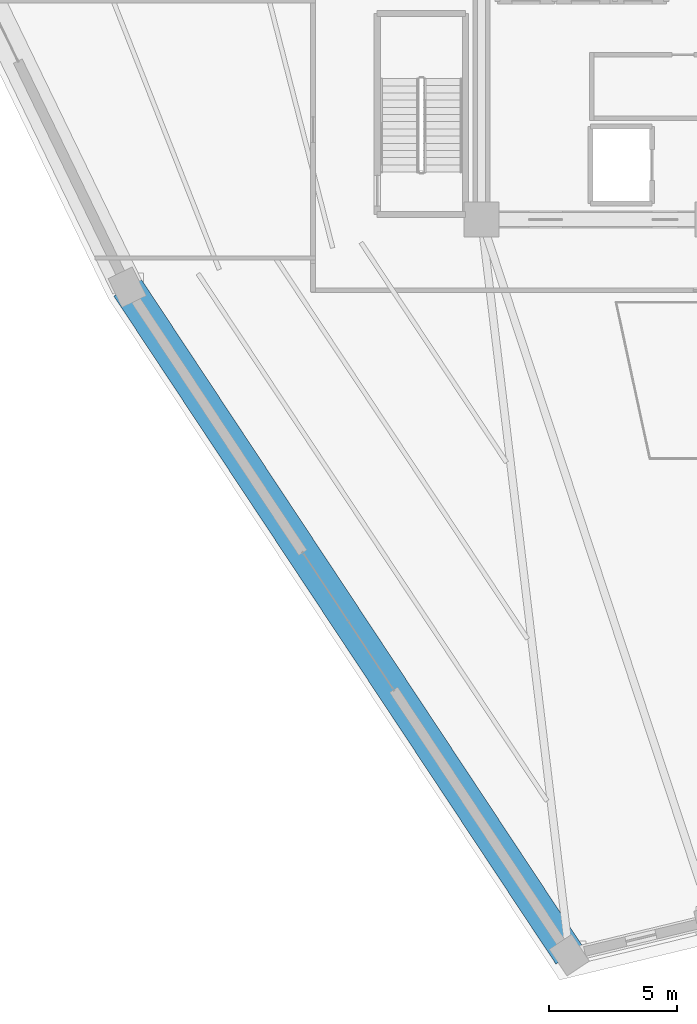
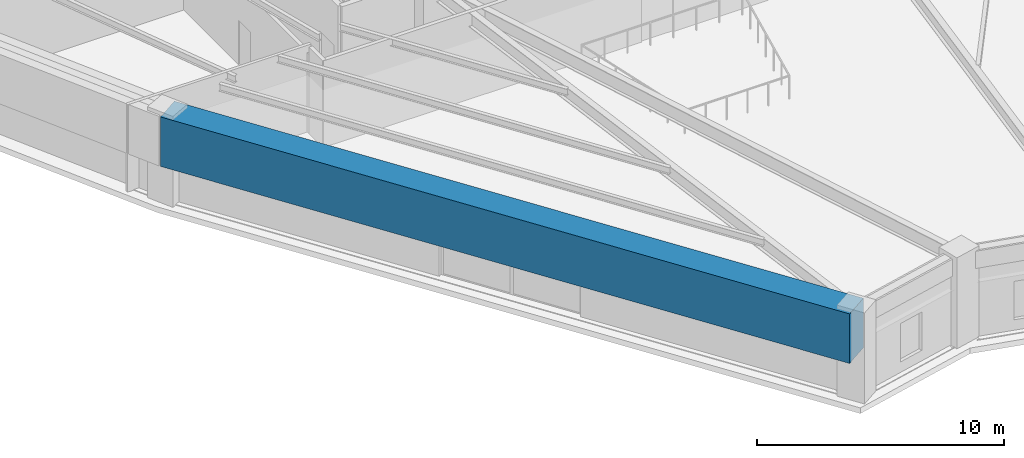
# One storey, part 3 of 39: 1 beam.
"""IFC4 building model written with IfcOpenShell, lengths in metres."""

from ifc_helpers import new_model, si_unit, direction, frame, origin, origin_2d, place, context, subcontext, project, spatial, rectangle, extrude, source, transform, mapped, material, material_profile, profile_set, type_object, element, save


model = new_model("IFC4")

# Units and contexts
model_context = context("Model", 3, precision=1e-05, world=origin(), true_north=direction((0.0, 1.0)))
body_context = subcontext(model_context, "Body", "Model", "MODEL_VIEW")
ifc_project = project(units=[si_unit("LENGTHUNIT", "METRE"), si_unit("AREAUNIT", "SQUARE_METRE"), si_unit("VOLUMEUNIT", "CUBIC_METRE"), si_unit("PLANEANGLEUNIT", "RADIAN"), si_unit("MASSUNIT", "GRAM", prefix="KILO")], contexts=[model_context])

# Site, building, storey
site_placement = place(None, origin())
site = spatial("IfcSite", under=ifc_project, at=site_placement, CompositionType="ELEMENT")
building_placement = place(site_placement, origin())
building = spatial("IfcBuilding", under=site, at=building_placement, Name="Liaohun Quay Tower", CompositionType="ELEMENT")
storey_placement = place(building_placement, frame((0.0, 0.0, 189.75)))
storey = spatial("IfcBuildingStorey", under=building, at=storey_placement, Name="L49", CompositionType="ELEMENT", Elevation=189.75)

# Beam
ifc_material = material(Name="Concrete C60", Category="concrete")
ifc_material_profile = material_profile(ifc_material, rectangle(XDim=1.25, YDim=2.449951171875, at=origin_2d()), Name="RC1250x2450")
ifc_profile_set = profile_set([ifc_material_profile], Name="Concrete C60")
beam_type = type_object("IfcBeamType", Name="BM-TRF-1", PredefinedType="BEAM", material=ifc_profile_set)
shared_shape = source(origin(), body_context, "Body", "SweptSolid", [
    extrude(rectangle(XDim=1.25, YDim=2.449951171875, at=origin_2d()), origin(), (0.0, 0.0, 1.0), 31.2001953125),
])
beam_placement = place(storey_placement, frame((54.423095703125, 17.846923828125, 3.094970703125), z_axis=(-0.551956047239, 0.83387320494, 0.0), x_axis=(-0.83387320494, -0.551956047239, 0.0)))
element("IfcBeam", 1, at=beam_placement, inside=storey, type_object=beam_type, Name="L49 Precast Spandrel Beam PC01-PC02", PredefinedType="BEAM", context=body_context, shape_type="MappedRepresentation", body=[
    mapped(shared_shape, transform((0.0, 0.0, 0.0), x_axis=(1.0, 0.0, 0.0), y_axis=(0.0, 1.0, 0.0), z_axis=(0.0, 0.0, 1.0), scale=1.0)),
])

save(model, "model.ifc")
